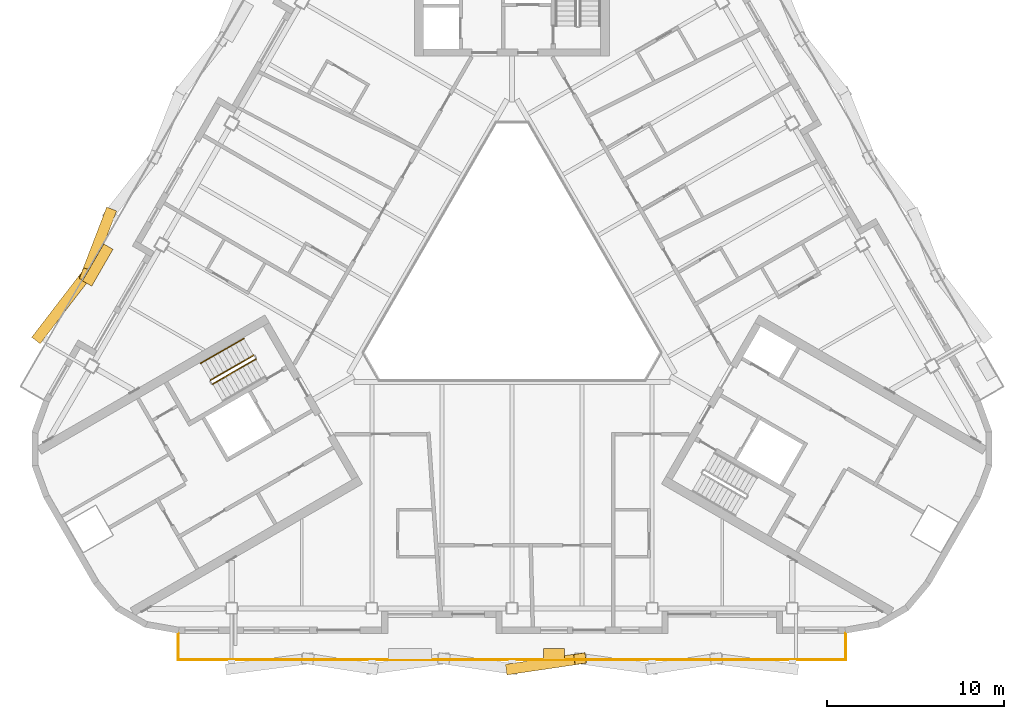
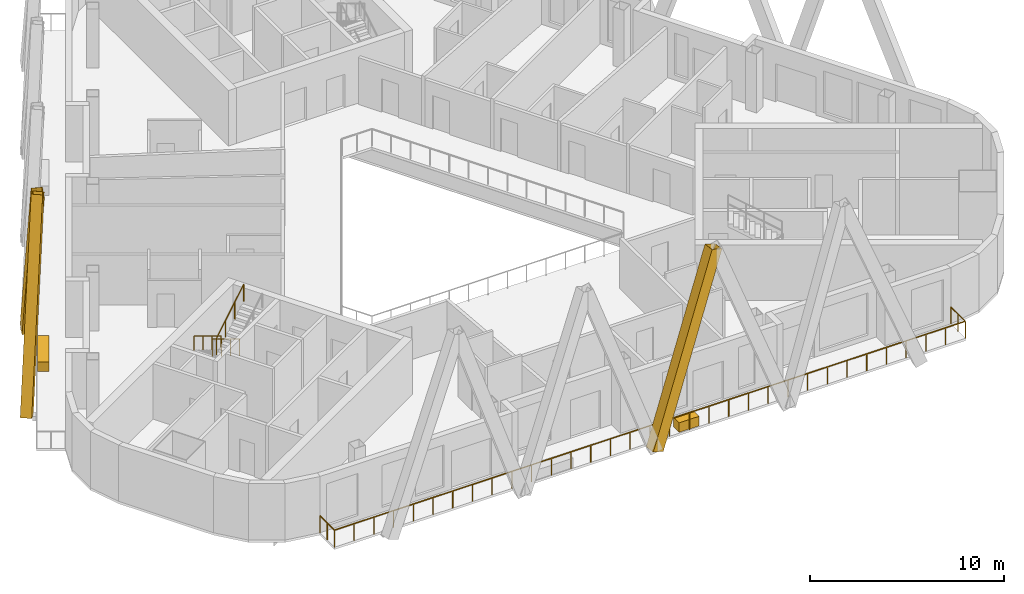
# One storey, part 13 of 18: 4 railings, 3 shading devices, 2 coverings.
"""IFC4 building model written with IfcOpenShell, lengths in metres."""

from ifc_helpers import new_model, si_unit, direction, frame, origin, origin_2d, place, context, subcontext, project, spatial, rectangle, hollow_rectangle, circle, extrude, material, material_profile, profile_set, type_object, element, save


model = new_model("IFC4")

# Units and contexts
model_context = context("Model", 3, precision=1e-05, world=origin(), true_north=direction((0.0, 1.0)))
body_context = subcontext(model_context, "Body", "Model", "MODEL_VIEW")
ifc_project = project(units=[si_unit("LENGTHUNIT", "METRE"), si_unit("AREAUNIT", "SQUARE_METRE"), si_unit("VOLUMEUNIT", "CUBIC_METRE"), si_unit("PLANEANGLEUNIT", "RADIAN"), si_unit("MASSUNIT", "GRAM", prefix="KILO")], contexts=[model_context])

# Site, building, storey
site_placement = place(None, origin())
site = spatial("IfcSite", under=ifc_project, at=site_placement, CompositionType="ELEMENT")
building_placement = place(site_placement, origin())
building = spatial("IfcBuilding", under=site, at=building_placement, Name="Apuvela Tower Hotel", CompositionType="ELEMENT")
storey_placement = place(building_placement, frame((0.0, 0.0, 246.699951171875)))
storey = spatial("IfcBuildingStorey", under=building, at=storey_placement, Name="L60", CompositionType="ELEMENT", Elevation=246.699951171875)

# Railings
ifc_material_1 = material(Name="Steel S275 balustrade", Category="steel")
railing_type_1 = type_object("IfcRailingType", Name="COR-GUARD-1100", PredefinedType="GUARDRAIL", material=ifc_material_1)
railing_1_placement = place(storey_placement, frame((-14.569091796875, -3.9658203125, 0.168212890625)))
element("IfcRailing", 1, at=railing_1_placement, inside=storey, type_object=railing_type_1, Name="L60 ST2 stair guard 1", PredefinedType="GUARDRAIL", context=body_context, shape_type="SweptSolid", body=[
    extrude(rectangle(XDim=0.048095703125, YDim=0.048095703125, at=origin_2d()), frame((0.0, 0.0, 1.076171875), z_axis=(-0.742390482028, -0.42860119049, 0.514934356695), x_axis=(0.49998411664, -0.866034573852, 0.0)), (0.0, 0.0, 1.0), 3.26611328125),
    extrude(rectangle(XDim=0.0419921875, YDim=0.0419921875, at=origin_2d()), origin(), (0.0, 0.0, 1.0), 1.052001953125),
    extrude(rectangle(XDim=0.0419921875, YDim=0.0419921875, at=origin_2d()), frame((-0.808349609375, -0.466552734375, 0.560546875)), (0.0, 0.0, 1.0), 1.052001953125),
    extrude(rectangle(XDim=0.0419921875, YDim=0.0419921875, at=origin_2d()), frame((-1.616455078125, -0.933349609375, 1.121337890625)), (0.0, 0.0, 1.0), 1.052001953125),
    extrude(rectangle(XDim=0.0419921875, YDim=0.0419921875, at=origin_2d()), frame((-2.4248046875, -1.39990234375, 1.681884765625)), (0.0, 0.0, 1.0), 1.052001953125),
])
railing_2_placement = place(storey_placement, frame((-16.868896484375, -5.582275390625, 2.018310546875)))
element("IfcRailing", 2, at=railing_2_placement, inside=storey, type_object=railing_type_1, Name="L60 ST2 stair guard 3", PredefinedType="GUARDRAIL", context=body_context, shape_type="SweptSolid", body=[
    extrude(rectangle(XDim=0.048095703125, YDim=0.048095703125, at=origin_2d()), frame((0.0, 0.0, 1.076171875), z_axis=(0.74241905619, 0.428617687091, 0.514879426), x_axis=(-0.49998411664, 0.866034573852, 0.0)), (0.0, 0.0, 1.0), 3.26611328125),
    extrude(rectangle(XDim=0.0419921875, YDim=0.0419921875, at=origin_2d()), origin(), (0.0, 0.0, 1.0), 1.052001953125),
    extrude(rectangle(XDim=0.0419921875, YDim=0.0419921875, at=origin_2d()), frame((0.808349609375, 0.466552734375, 0.560546875)), (0.0, 0.0, 1.0), 1.052001953125),
    extrude(rectangle(XDim=0.0419921875, YDim=0.0419921875, at=origin_2d()), frame((1.616455078125, 0.933349609375, 1.12109375)), (0.0, 0.0, 1.0), 1.052001953125),
    extrude(rectangle(XDim=0.0419921875, YDim=0.0419921875, at=origin_2d()), frame((2.4248046875, 1.39990234375, 1.681640625)), (0.0, 0.0, 1.0), 1.052001953125),
])
ifc_material_2 = material(Name="Stainless steel 316 handrail", Category="steel")
railing_type_2 = type_object("IfcRailingType", Name="COR-HANDRAIL-900", PredefinedType="HANDRAIL", material=ifc_material_2)
railing_3_placement = place(storey_placement, frame((-15.118896484375, -3.01318359375, 0.168212890625)))
element("IfcRailing", 3, at=railing_3_placement, inside=storey, type_object=railing_type_2, Name="L60 ST2 stair handrail 1", PredefinedType="HANDRAIL", context=body_context, shape_type="SweptSolid", body=[
    extrude(circle(Radius=0.02392578125, at=origin_2d()), frame((0.0, 0.0, 0.8759765625), z_axis=(-0.742424030051, -0.428577407461, 0.514905783049), x_axis=(0.49994636267, -0.866056369097, 0.0)), (0.0, 0.0, 1.0), 3.266357421875),
    extrude(rectangle(XDim=0.0419921875, YDim=0.0419921875, at=origin_2d()), origin(), (0.0, 0.0, 1.0), 0.851806640625),
    extrude(rectangle(XDim=0.0419921875, YDim=0.0419921875, at=origin_2d()), frame((-0.808349609375, -0.466552734375, 0.560546875)), (0.0, 0.0, 1.0), 0.851806640625),
    extrude(rectangle(XDim=0.0419921875, YDim=0.0419921875, at=origin_2d()), frame((-1.61669921875, -0.933349609375, 1.121337890625)), (0.0, 0.0, 1.0), 0.851806640625),
    extrude(rectangle(XDim=0.0419921875, YDim=0.0419921875, at=origin_2d()), frame((-2.425048828125, -1.39990234375, 1.681884765625)), (0.0, 0.0, 1.0), 0.851806640625),
])

# Shading devices
ifc_material_3 = material(Name="Aluminium 6063-T6, black anodised", Category="aluminium")
ifc_material_profile = material_profile(ifc_material_3, hollow_rectangle(XDim=0.60009765625, YDim=0.699951171875, WallThickness=0.011962890625, at=origin_2d()), Name="AL BOX 700x600x12")
ifc_profile_set = profile_set([ifc_material_profile], Name="Aluminium 6063-T6, black anodised")
shading_device_type = type_object("IfcShadingDeviceType", Name="ENV-FIN-700x600", PredefinedType="USERDEFINED", material=ifc_profile_set)
shading_device_1_placement = place(storey_placement, frame((0.0, -21.6298828125, -0.099853515625), z_axis=(0.326250119611, 0.048214917117, 0.944053060596), x_axis=(-0.146197249059, 0.98925545961, 0.0)))
element("IfcShadingDevice", 4, at=shading_device_1_placement, inside=storey, type_object=shading_device_type, Name="Lattice fin S533", ObjectType="FIN", PredefinedType="USERDEFINED", context=body_context, shape_type="SweptSolid", body=[
    extrude(hollow_rectangle(XDim=0.60009765625, YDim=0.699951171875, WallThickness=0.011962890625, at=origin_2d()), origin(), (0.0, 0.0, 1.0), 11.757568359375),
])
shading_device_2_placement = place(storey_placement, frame((-22.68212890625, 3.973388671875, -0.099853515625), z_axis=(-0.112342326293, -0.291647114138, 0.949905870357), x_axis=(0.933162853246, -0.359453876488, 0.0)))
element("IfcShadingDevice", 5, at=shading_device_2_placement, inside=storey, type_object=shading_device_type, Name="Lattice fin NW599", ObjectType="FIN", PredefinedType="USERDEFINED", context=body_context, shape_type="SweptSolid", body=[
    extrude(hollow_rectangle(XDim=0.60009765625, YDim=0.699951171875, WallThickness=0.011962890625, at=origin_2d()), origin(), (0.0, 0.0, 1.0), 11.685302734375),
])
shading_device_3_placement = place(storey_placement, frame((-26.632080078125, -2.8681640625, -0.099853515625), z_axis=(0.221347554958, 0.28819033632, 0.931639195164), x_axis=(-0.793072380955, 0.609127407499, 0.0)))
element("IfcShadingDevice", 6, at=shading_device_3_placement, inside=storey, type_object=shading_device_type, Name="Lattice fin NW600", ObjectType="FIN", PredefinedType="USERDEFINED", context=body_context, shape_type="SweptSolid", body=[
    extrude(hollow_rectangle(XDim=0.60009765625, YDim=0.699951171875, WallThickness=0.011962890625, at=origin_2d()), origin(), (0.0, 0.0, 1.0), 11.914306640625),
])

# Railing
ifc_material_4 = material(Name="Stainless steel 316 rail with laminated glass infill", Category="steel")
railing_type_3 = type_object("IfcRailingType", Name="ENV-GUARD-1100", PredefinedType="GUARDRAIL", material=ifc_material_4)
railing_4_placement = place(storey_placement, frame((-18.81591796875, -19.6298828125, 0.0)))
element("IfcRailing", 7, at=railing_4_placement, inside=storey, type_object=railing_type_3, Name="Balcony guard S L60", PredefinedType="GUARDRAIL", context=body_context, shape_type="SweptSolid", body=[
    extrude(rectangle(XDim=0.050048828125, YDim=0.050048828125, at=origin_2d()), frame((0.0, 0.0, 1.0751953125), z_axis=(0.0, -1.0, 0.0), x_axis=(1.0, 0.0, 0.0)), (0.0, 0.0, 1.0), 1.5),
    extrude(rectangle(XDim=0.050048828125, YDim=0.050048828125, at=origin_2d()), frame((0.0, -1.5, 1.0751953125), z_axis=(1.0, 0.0, 0.0), x_axis=(0.0, 1.0, 0.0)), (0.0, 0.0, 1.0), 37.6318359375),
    extrude(rectangle(XDim=0.050048828125, YDim=0.050048828125, at=origin_2d()), frame((37.6318359375, -1.5, 1.0751953125), z_axis=(0.0, 1.0, 0.0), x_axis=(-1.0, 0.0, 0.0)), (0.0, 0.0, 1.0), 1.5),
    extrude(rectangle(XDim=0.0400390625, YDim=0.0400390625, at=origin_2d()), origin(), (0.0, 0.0, 1.0), 1.050048828125),
    extrude(rectangle(XDim=0.0400390625, YDim=0.0400390625, at=origin_2d()), frame((0.0, -0.75, 0.0)), (0.0, 0.0, 1.0), 1.050048828125),
    extrude(rectangle(XDim=0.0400390625, YDim=0.0400390625, at=origin_2d()), frame((0.0, -1.5, 0.0)), (0.0, 0.0, 1.0), 1.050048828125),
    extrude(rectangle(XDim=0.0400390625, YDim=0.0400390625, at=origin_2d()), frame((1.176025390625, -1.5, 0.0)), (0.0, 0.0, 1.0), 1.050048828125),
    extrude(rectangle(XDim=0.0400390625, YDim=0.0400390625, at=origin_2d()), frame((2.35205078125, -1.5, 0.0)), (0.0, 0.0, 1.0), 1.050048828125),
    extrude(rectangle(XDim=0.0400390625, YDim=0.0400390625, at=origin_2d()), frame((3.528076171875, -1.5, 0.0)), (0.0, 0.0, 1.0), 1.050048828125),
    extrude(rectangle(XDim=0.0400390625, YDim=0.0400390625, at=origin_2d()), frame((4.7041015625, -1.5, 0.0)), (0.0, 0.0, 1.0), 1.050048828125),
    extrude(rectangle(XDim=0.0400390625, YDim=0.0400390625, at=origin_2d()), frame((5.8798828125, -1.5, 0.0)), (0.0, 0.0, 1.0), 1.050048828125),
    extrude(rectangle(XDim=0.0400390625, YDim=0.0400390625, at=origin_2d()), frame((7.055908203125, -1.5, 0.0)), (0.0, 0.0, 1.0), 1.050048828125),
    extrude(rectangle(XDim=0.0400390625, YDim=0.0400390625, at=origin_2d()), frame((8.23193359375, -1.5, 0.0)), (0.0, 0.0, 1.0), 1.050048828125),
    extrude(rectangle(XDim=0.0400390625, YDim=0.0400390625, at=origin_2d()), frame((9.407958984375, -1.5, 0.0)), (0.0, 0.0, 1.0), 1.050048828125),
    extrude(rectangle(XDim=0.0400390625, YDim=0.0400390625, at=origin_2d()), frame((10.583984375, -1.5, 0.0)), (0.0, 0.0, 1.0), 1.050048828125),
    extrude(rectangle(XDim=0.0400390625, YDim=0.0400390625, at=origin_2d()), frame((11.760009765625, -1.5, 0.0)), (0.0, 0.0, 1.0), 1.050048828125),
    extrude(rectangle(XDim=0.0400390625, YDim=0.0400390625, at=origin_2d()), frame((12.93603515625, -1.5, 0.0)), (0.0, 0.0, 1.0), 1.050048828125),
    extrude(rectangle(XDim=0.0400390625, YDim=0.0400390625, at=origin_2d()), frame((14.11181640625, -1.5, 0.0)), (0.0, 0.0, 1.0), 1.050048828125),
    extrude(rectangle(XDim=0.0400390625, YDim=0.0400390625, at=origin_2d()), frame((15.287841796875, -1.5, 0.0)), (0.0, 0.0, 1.0), 1.050048828125),
    extrude(rectangle(XDim=0.0400390625, YDim=0.0400390625, at=origin_2d()), frame((16.4638671875, -1.5, 0.0)), (0.0, 0.0, 1.0), 1.050048828125),
    extrude(rectangle(XDim=0.0400390625, YDim=0.0400390625, at=origin_2d()), frame((17.639892578125, -1.5, 0.0)), (0.0, 0.0, 1.0), 1.050048828125),
    extrude(rectangle(XDim=0.0400390625, YDim=0.0400390625, at=origin_2d()), frame((18.81591796875, -1.5, 0.0)), (0.0, 0.0, 1.0), 1.050048828125),
    extrude(rectangle(XDim=0.0400390625, YDim=0.0400390625, at=origin_2d()), frame((19.991943359375, -1.5, 0.0)), (0.0, 0.0, 1.0), 1.050048828125),
    extrude(rectangle(XDim=0.0400390625, YDim=0.0400390625, at=origin_2d()), frame((21.16796875, -1.5, 0.0)), (0.0, 0.0, 1.0), 1.050048828125),
    extrude(rectangle(XDim=0.0400390625, YDim=0.0400390625, at=origin_2d()), frame((22.343994140625, -1.5, 0.0)), (0.0, 0.0, 1.0), 1.050048828125),
    extrude(rectangle(XDim=0.0400390625, YDim=0.0400390625, at=origin_2d()), frame((23.52001953125, -1.5, 0.0)), (0.0, 0.0, 1.0), 1.050048828125),
    extrude(rectangle(XDim=0.0400390625, YDim=0.0400390625, at=origin_2d()), frame((24.69580078125, -1.5, 0.0)), (0.0, 0.0, 1.0), 1.050048828125),
    extrude(rectangle(XDim=0.0400390625, YDim=0.0400390625, at=origin_2d()), frame((25.871826171875, -1.5, 0.0)), (0.0, 0.0, 1.0), 1.050048828125),
    extrude(rectangle(XDim=0.0400390625, YDim=0.0400390625, at=origin_2d()), frame((27.0478515625, -1.5, 0.0)), (0.0, 0.0, 1.0), 1.050048828125),
    extrude(rectangle(XDim=0.0400390625, YDim=0.0400390625, at=origin_2d()), frame((28.223876953125, -1.5, 0.0)), (0.0, 0.0, 1.0), 1.050048828125),
    extrude(rectangle(XDim=0.0400390625, YDim=0.0400390625, at=origin_2d()), frame((29.39990234375, -1.5, 0.0)), (0.0, 0.0, 1.0), 1.050048828125),
    extrude(rectangle(XDim=0.0400390625, YDim=0.0400390625, at=origin_2d()), frame((30.575927734375, -1.5, 0.0)), (0.0, 0.0, 1.0), 1.050048828125),
    extrude(rectangle(XDim=0.0400390625, YDim=0.0400390625, at=origin_2d()), frame((31.751953125, -1.5, 0.0)), (0.0, 0.0, 1.0), 1.050048828125),
    extrude(rectangle(XDim=0.0400390625, YDim=0.0400390625, at=origin_2d()), frame((32.927734375, -1.5, 0.0)), (0.0, 0.0, 1.0), 1.050048828125),
    extrude(rectangle(XDim=0.0400390625, YDim=0.0400390625, at=origin_2d()), frame((34.103759765625, -1.5, 0.0)), (0.0, 0.0, 1.0), 1.050048828125),
    extrude(rectangle(XDim=0.0400390625, YDim=0.0400390625, at=origin_2d()), frame((35.27978515625, -1.5, 0.0)), (0.0, 0.0, 1.0), 1.050048828125),
    extrude(rectangle(XDim=0.0400390625, YDim=0.0400390625, at=origin_2d()), frame((36.455810546875, -1.5, 0.0)), (0.0, 0.0, 1.0), 1.050048828125),
    extrude(rectangle(XDim=0.0400390625, YDim=0.0400390625, at=origin_2d()), frame((37.6318359375, -1.5, 0.0)), (0.0, 0.0, 1.0), 1.050048828125),
    extrude(rectangle(XDim=0.0400390625, YDim=0.0400390625, at=origin_2d()), frame((37.6318359375, -0.75, 0.0)), (0.0, 0.0, 1.0), 1.050048828125),
    extrude(rectangle(XDim=0.0400390625, YDim=0.0400390625, at=origin_2d()), frame((37.6318359375, 0.0, 0.0)), (0.0, 0.0, 1.0), 1.050048828125),
])

# Coverings
ifc_material_5 = material(Name="Planting substrate and soil, planted")
covering_type_1 = type_object("IfcCoveringType", Name="ENV-PLANTER-1200x600", PredefinedType="USERDEFINED", material=ifc_material_5)
covering_1_placement = place(storey_placement, frame((2.369384765625, -20.780029296875, 0.0), z_axis=(0.0, 0.0, 1.0), x_axis=(1.0, 0.0, 0.0)))
element("IfcCovering", 8, at=covering_1_placement, inside=storey, type_object=covering_type_1, Name="Planter S2", ObjectType="PLANTER", PredefinedType="USERDEFINED", context=body_context, shape_type="SweptSolid", body=[
    extrude(rectangle(XDim=1.199951171875, YDim=0.60009765625, at=origin_2d()), origin(), (0.0, 0.0, 1.0), 0.60009765625),
])
covering_type_2 = type_object("IfcCoveringType", Name="ENV-PLANTER-2400x600", PredefinedType="USERDEFINED", material=ifc_material_5)
covering_2_placement = place(storey_placement, frame((-23.345947265625, 1.12353515625, 0.0), z_axis=(0.0, 0.0, 1.0), x_axis=(-0.5, -0.866025403784, 0.0)))
element("IfcCovering", 9, at=covering_2_placement, inside=storey, type_object=covering_type_2, Name="Planter NW6", ObjectType="PLANTER", PredefinedType="USERDEFINED", context=body_context, shape_type="SweptSolid", body=[
    extrude(rectangle(XDim=2.39990234375, YDim=0.60009765625, at=origin_2d()), origin(), (0.0, 0.0, 1.0), 0.60009765625),
])

save(model, "model.ifc")
